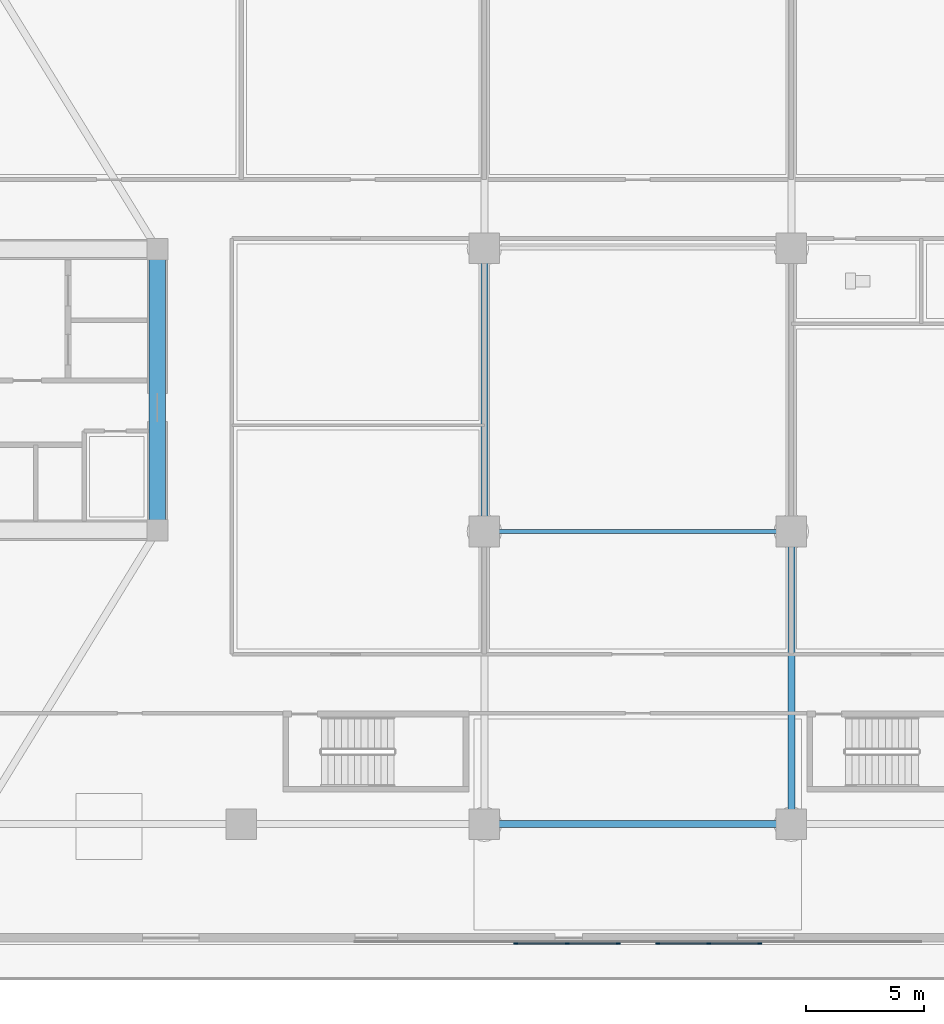
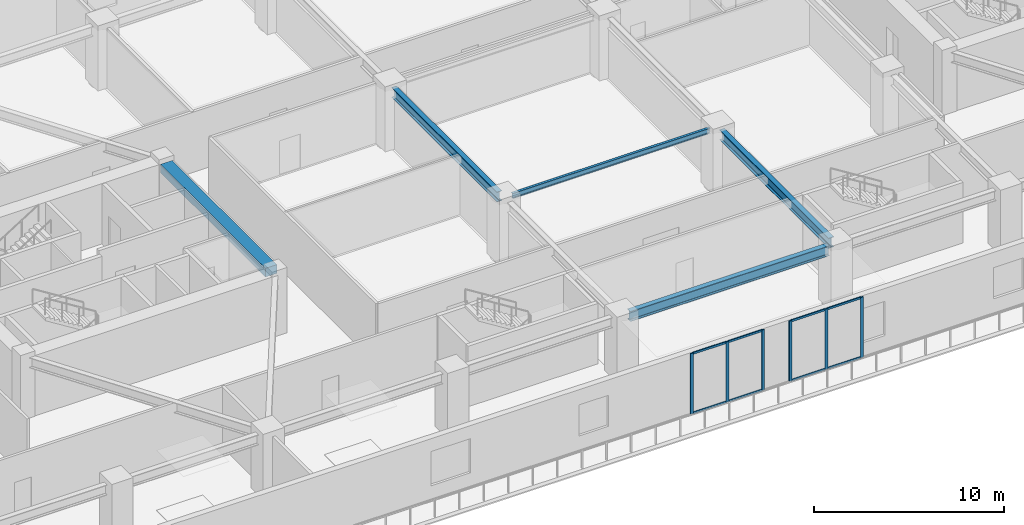
# One storey, part 2 of 22: 14 members, 5 beams, 2 elements without a shape of their own.
"""IFC4 building model written with IfcOpenShell, lengths in metres."""

from ifc_helpers import new_model, si_unit, direction, frame, origin, origin_2d, place, context, subcontext, project, spatial, rectangle, i_section, extrude, source, transform, mapped, material, layer, layer_set, material_profile, profile_set, type_object, type_shapes, element, aggregate, save


model = new_model("IFC4")

# Units and contexts
model_context = context("Model", 3, precision=1e-05, world=origin(), true_north=direction((0.0, 1.0)))
body_context = subcontext(model_context, "Body", "Model", "MODEL_VIEW")
ifc_project = project(units=[si_unit("LENGTHUNIT", "METRE"), si_unit("AREAUNIT", "SQUARE_METRE"), si_unit("VOLUMEUNIT", "CUBIC_METRE"), si_unit("PLANEANGLEUNIT", "RADIAN"), si_unit("MASSUNIT", "GRAM", prefix="KILO")], contexts=[model_context])

# Site, building, storey
site_placement = place(None, origin())
site = spatial("IfcSite", under=ifc_project, at=site_placement, CompositionType="ELEMENT")
building_placement = place(site_placement, origin())
building = spatial("IfcBuilding", under=site, at=building_placement, Name="Norrkilde Senior Care Towers", CompositionType="ELEMENT")
storey_placement = place(building_placement, frame((0.0, 0.0, 4.199951171875)))
storey = spatial("IfcBuildingStorey", under=building, at=storey_placement, Name="L01", CompositionType="ELEMENT", Elevation=4.199951171875)

# Beams
ifc_material_1 = material(Name="Concrete C60/75", Category="concrete")
ifc_material_profile_1 = material_profile(ifc_material_1, rectangle(XDim=0.699951171875, YDim=0.550048828125, at=origin_2d()), Name="RC BM 700x550")
ifc_profile_set_1 = profile_set([ifc_material_profile_1], Name="Concrete C60/75")
beam_type_1 = type_object("IfcBeamType", Name="Core Portal Coupling Beam 700x550", PredefinedType="USERDEFINED", material=ifc_profile_set_1)
shared_shape_1 = source(origin(), body_context, "Body", "SweptSolid", [
    extrude(rectangle(XDim=0.699951171875, YDim=0.550048828125, at=origin_2d()), origin(), (0.0, 0.0, 1.0), 11.0400390625),
])
type_shapes(beam_type_1, [shared_shape_1])
beam_1_placement = place(storey_placement, frame((-20.35009765625, -5.52001953125, 3.60498046875), z_axis=(0.0, 1.0, 0.0), x_axis=(-1.0, 0.0, 0.0)))
element("IfcBeam", 1, at=beam_1_placement, inside=storey, type_object=beam_type_1, Name="L01 Core W E Coupling Girder", ObjectType="GIRDER", PredefinedType="USERDEFINED", context=body_context, shape_type="MappedRepresentation", body=[
    mapped(shared_shape_1, transform((0.0, 0.0, 0.0), x_axis=(1.0, 0.0, 0.0), y_axis=(0.0, 1.0, 0.0), z_axis=(0.0, 0.0, 1.0), scale=1.0)),
])
ifc_material_2 = material(Name="Steel S355", Category="steel")
ifc_material_profile_2 = material_profile(ifc_material_2, i_section(OverallWidth=0.159912109375, OverallDepth=0.330078125, WebThickness=0.007568359375, FlangeThickness=0.011474609375, FilletRadius=0.01806640625, at=origin_2d()), Name="IPE 330")
ifc_profile_set_2 = profile_set([ifc_material_profile_2], Name="Steel S355")
beam_type_2 = type_object("IfcBeamType", Name="Podium Deck Joist IPE330", PredefinedType="JOIST", material=ifc_profile_set_2)
shared_shape_2 = source(origin(), body_context, "Body", "SweptSolid", [
    extrude(i_section(OverallWidth=0.159912109375, OverallDepth=0.330078125, WebThickness=0.007568359375, FlangeThickness=0.011474609375, FilletRadius=0.01806640625, at=origin_2d()), origin(), (0.0, 0.0, 1.0), 12.0),
])
type_shapes(beam_type_2, [shared_shape_2])
beam_2_placement = place(storey_placement, frame((-6.0, -6.0, 3.715087890625), z_axis=(1.0, 0.0, 0.0), x_axis=(0.0, 1.0, 0.0)))
element("IfcBeam", 2, at=beam_2_placement, inside=storey, type_object=beam_type_2, Name="L01 Podium Central Span Beam 1", PredefinedType="JOIST", context=body_context, shape_type="MappedRepresentation", body=[
    mapped(shared_shape_2, transform((0.0, 0.0, 0.0), x_axis=(1.0, 0.0, 0.0), y_axis=(0.0, 1.0, 0.0), z_axis=(0.0, 0.0, 1.0), scale=1.0)),
])
ifc_material_profile_3 = material_profile(ifc_material_2, i_section(OverallWidth=0.300048828125, OverallDepth=0.64990234375, WebThickness=0.01611328125, FlangeThickness=0.031005859375, FilletRadius=0.027099609375, at=origin_2d()), Name="HEB 650")
ifc_profile_set_3 = profile_set([ifc_material_profile_3], Name="Steel S355")
beam_type_3 = type_object("IfcBeamType", Name="Podium Primary Beam HEB650", PredefinedType="BEAM", material=ifc_profile_set_3)
shared_shape_3 = source(origin(), body_context, "Body", "SweptSolid", [
    extrude(i_section(OverallWidth=0.300048828125, OverallDepth=0.64990234375, WebThickness=0.01611328125, FlangeThickness=0.031005859375, FilletRadius=0.027099609375, at=origin_2d()), origin(), (0.0, 0.0, 1.0), 12.10009765625),
])
beam_3_placement = place(storey_placement, frame((-6.050048828125, -18.39990234375, 3.554931640625), z_axis=(1.0, 0.0, 0.0), x_axis=(0.0, 1.0, 0.0)))
element("IfcBeam", 3, at=beam_3_placement, inside=storey, type_object=beam_type_3, Name="L01 Podium E-W Frame Beam 1.5", PredefinedType="BEAM", context=body_context, shape_type="MappedRepresentation", body=[
    mapped(shared_shape_3, transform((0.0, 0.0, 0.0), x_axis=(1.0, 0.0, 0.0), y_axis=(0.0, 1.0, 0.0), z_axis=(0.0, 0.0, 1.0), scale=1.0)),
])
shared_shape_4 = source(origin(), body_context, "Body", "SweptSolid", [
    extrude(i_section(OverallWidth=0.300048828125, OverallDepth=0.64990234375, WebThickness=0.01611328125, FlangeThickness=0.031005859375, FilletRadius=0.027099609375, at=origin_2d()), origin(), (0.0, 0.0, 1.0), 11.5),
])
beam_4_placement = place(storey_placement, frame((6.5, -17.949951171875, 3.554931640625), z_axis=(0.0, 1.0, 0.0), x_axis=(-1.0, 0.0, 0.0)))
element("IfcBeam", 4, at=beam_4_placement, inside=storey, type_object=beam_type_3, Name="L01 Podium N-S Frame Beam 3.1", PredefinedType="BEAM", context=body_context, shape_type="MappedRepresentation", body=[
    mapped(shared_shape_4, transform((0.0, 0.0, 0.0), x_axis=(1.0, 0.0, 0.0), y_axis=(0.0, 1.0, 0.0), z_axis=(0.0, 0.0, 1.0), scale=1.0)),
])
shared_shape_5 = source(origin(), body_context, "Body", "SweptSolid", [
    extrude(i_section(OverallWidth=0.300048828125, OverallDepth=0.64990234375, WebThickness=0.01611328125, FlangeThickness=0.031005859375, FilletRadius=0.027099609375, at=origin_2d()), origin(), (0.0, 0.0, 1.0), 11.10009765625),
])
type_shapes(beam_type_3, [shared_shape_3, shared_shape_4, shared_shape_5])
beam_5_placement = place(storey_placement, frame((-6.5, -5.550048828125, 3.554931640625), z_axis=(0.0, 1.0, 0.0), x_axis=(-1.0, 0.0, 0.0)))
element("IfcBeam", 5, at=beam_5_placement, inside=storey, type_object=beam_type_3, Name="L01 Podium N-S Frame Beam 2.2", PredefinedType="BEAM", context=body_context, shape_type="MappedRepresentation", body=[
    mapped(shared_shape_5, transform((0.0, 0.0, 0.0), x_axis=(1.0, 0.0, 0.0), y_axis=(0.0, 1.0, 0.0), z_axis=(0.0, 0.0, 1.0), scale=1.0)),
])

# Curtain wall, members
ifc_material_3 = material(Name="Triple Low-E Insulated Glazing", Category="glass")
ifc_layer = layer(ifc_material_3, 0.219970703125)
ifc_layer_set = layer_set([ifc_layer], Name="Triple Low-E Insulated Glazing")
curtain_wall_type = type_object("IfcCurtainWallType", Name="CW1 Podium Clinic Terracotta Curtain Wall", PredefinedType="NOTDEFINED", material=ifc_layer_set)
curtain_wall_1_placement = place(storey_placement, origin())
curtain_wall_1 = element("IfcCurtainWall", 6, at=curtain_wall_1_placement, inside=storey, type_object=curtain_wall_type, Name="L01 Podium Portal Feature Curtain Wall 1", PredefinedType="NOTDEFINED")
ifc_material_4 = material(Name="Anodised Aluminium", Category="aluminium")
ifc_material_profile_4 = material_profile(ifc_material_4, rectangle(XDim=0.070068359375, YDim=0.169921875, at=origin_2d()), Name="ALU MULL 70x170")
ifc_profile_set_4 = profile_set([ifc_material_profile_4], Name="Anodised Aluminium")
member_type_1 = type_object("IfcMemberType", Name="Curtain Wall Mullion Heavy 70x170", PredefinedType="MULLION", material=ifc_profile_set_4)
shared_shape_6 = source(origin(), body_context, "Body", "SweptSolid", [
    extrude(rectangle(XDim=0.070068359375, YDim=0.169921875, at=origin_2d()), origin(), (0.0, 0.0, 1.0), 3.880126953125),
])
type_shapes(member_type_1, [shared_shape_6])
member_1_placement = place(storey_placement, frame((-0.8349609375, -23.4599609375, 0.0), z_axis=(0.0, 0.0, 1.0), x_axis=(0.0, -1.0, 0.0)))
member_1 = element("IfcMember", 7, at=member_1_placement, type_object=member_type_1, Name="CW-1 mullion 1", PredefinedType="MULLION", context=body_context, shape_type="MappedRepresentation", body=[
    mapped(shared_shape_6, transform((0.0, 0.0, 0.0), x_axis=(1.0, 0.0, 0.0), y_axis=(0.0, 1.0, 0.0), z_axis=(0.0, 0.0, 1.0), scale=1.0)),
])
member_2_placement = place(storey_placement, frame((-3.0, -23.4599609375, 0.0), z_axis=(0.0, 0.0, 1.0), x_axis=(0.0, -1.0, 0.0)))
member_2 = element("IfcMember", 8, at=member_2_placement, type_object=member_type_1, Name="CW-1 mullion 2", PredefinedType="MULLION", context=body_context, shape_type="MappedRepresentation", body=[
    mapped(shared_shape_6, transform((0.0, 0.0, 0.0), x_axis=(1.0, 0.0, 0.0), y_axis=(0.0, 1.0, 0.0), z_axis=(0.0, 0.0, 1.0), scale=1.0)),
])
member_3_placement = place(storey_placement, frame((-5.1650390625, -23.4599609375, 0.0), z_axis=(0.0, 0.0, 1.0), x_axis=(0.0, -1.0, 0.0)))
member_3 = element("IfcMember", 9, at=member_3_placement, type_object=member_type_1, Name="CW-1 mullion 3", PredefinedType="MULLION", context=body_context, shape_type="MappedRepresentation", body=[
    mapped(shared_shape_6, transform((0.0, 0.0, 0.0), x_axis=(1.0, 0.0, 0.0), y_axis=(0.0, 1.0, 0.0), z_axis=(0.0, 0.0, 1.0), scale=1.0)),
])

curtain_wall_2_placement = place(storey_placement, origin())
curtain_wall_2 = element("IfcCurtainWall", 10, at=curtain_wall_2_placement, inside=storey, type_object=curtain_wall_type, Name="L01 Podium Portal Feature Curtain Wall 2", PredefinedType="NOTDEFINED")
member_4_placement = place(storey_placement, frame((5.1650390625, -23.4599609375, 0.0), z_axis=(0.0, 0.0, 1.0), x_axis=(0.0, -1.0, 0.0)))
member_4 = element("IfcMember", 11, at=member_4_placement, type_object=member_type_1, Name="CW-1 mullion 1", PredefinedType="MULLION", context=body_context, shape_type="MappedRepresentation", body=[
    mapped(shared_shape_6, transform((0.0, 0.0, 0.0), x_axis=(1.0, 0.0, 0.0), y_axis=(0.0, 1.0, 0.0), z_axis=(0.0, 0.0, 1.0), scale=1.0)),
])
member_5_placement = place(storey_placement, frame((3.0, -23.4599609375, 0.0), z_axis=(0.0, 0.0, 1.0), x_axis=(0.0, -1.0, 0.0)))
member_5 = element("IfcMember", 12, at=member_5_placement, type_object=member_type_1, Name="CW-1 mullion 2", PredefinedType="MULLION", context=body_context, shape_type="MappedRepresentation", body=[
    mapped(shared_shape_6, transform((0.0, 0.0, 0.0), x_axis=(1.0, 0.0, 0.0), y_axis=(0.0, 1.0, 0.0), z_axis=(0.0, 0.0, 1.0), scale=1.0)),
])
member_6_placement = place(storey_placement, frame((0.8349609375, -23.4599609375, 0.0), z_axis=(0.0, 0.0, 1.0), x_axis=(0.0, -1.0, 0.0)))
member_6 = element("IfcMember", 13, at=member_6_placement, type_object=member_type_1, Name="CW-1 mullion 3", PredefinedType="MULLION", context=body_context, shape_type="MappedRepresentation", body=[
    mapped(shared_shape_6, transform((0.0, 0.0, 0.0), x_axis=(1.0, 0.0, 0.0), y_axis=(0.0, 1.0, 0.0), z_axis=(0.0, 0.0, 1.0), scale=1.0)),
])

# Member
ifc_material_profile_5 = material_profile(ifc_material_4, rectangle(XDim=0.06494140625, YDim=0.1298828125, at=origin_2d()), Name="ALU TRAN 65x130")
ifc_profile_set_5 = profile_set([ifc_material_profile_5], Name="Anodised Aluminium")
member_type_2 = type_object("IfcMemberType", Name="Curtain Wall Transom Heavy 65x130", PredefinedType="USERDEFINED", material=ifc_profile_set_5)
shared_shape_7 = source(origin(), body_context, "Body", "SweptSolid", [
    extrude(rectangle(XDim=0.06494140625, YDim=0.1298828125, at=origin_2d()), origin(), (0.0, 0.0, 1.0), 2.094970703125),
])
type_shapes(member_type_2, [shared_shape_7])
member_7_placement = place(storey_placement, frame((-0.8701171875, -23.4599609375, 0.032470703125), z_axis=(-1.0, 0.0, 0.0), x_axis=(0.0, -1.0, 0.0)))
member_7 = element("IfcMember", 14, at=member_7_placement, type_object=member_type_2, Name="CW-1 transom 1.1", ObjectType="TRANSOM", PredefinedType="USERDEFINED", context=body_context, shape_type="MappedRepresentation", body=[
    mapped(shared_shape_7, transform((0.0, 0.0, 0.0), x_axis=(1.0, 0.0, 0.0), y_axis=(0.0, 1.0, 0.0), z_axis=(0.0, 0.0, 1.0), scale=1.0)),
])

member_8_placement = place(storey_placement, frame((-0.8701171875, -23.4599609375, 3.84765625), z_axis=(-1.0, 0.0, 0.0), x_axis=(0.0, -1.0, 0.0)))
member_8 = element("IfcMember", 15, at=member_8_placement, type_object=member_type_2, Name="CW-1 transom 1.2", ObjectType="TRANSOM", PredefinedType="USERDEFINED", context=body_context, shape_type="MappedRepresentation", body=[
    mapped(shared_shape_7, transform((0.0, 0.0, 0.0), x_axis=(1.0, 0.0, 0.0), y_axis=(0.0, 1.0, 0.0), z_axis=(0.0, 0.0, 1.0), scale=1.0)),
])

member_9_placement = place(storey_placement, frame((-3.034912109375, -23.4599609375, 0.032470703125), z_axis=(-1.0, 0.0, 0.0), x_axis=(0.0, -1.0, 0.0)))
member_9 = element("IfcMember", 16, at=member_9_placement, type_object=member_type_2, Name="CW-1 transom 2.1", ObjectType="TRANSOM", PredefinedType="USERDEFINED", context=body_context, shape_type="MappedRepresentation", body=[
    mapped(shared_shape_7, transform((0.0, 0.0, 0.0), x_axis=(1.0, 0.0, 0.0), y_axis=(0.0, 1.0, 0.0), z_axis=(0.0, 0.0, 1.0), scale=1.0)),
])

member_10_placement = place(storey_placement, frame((-3.034912109375, -23.4599609375, 3.84765625), z_axis=(-1.0, 0.0, 0.0), x_axis=(0.0, -1.0, 0.0)))
member_10 = element("IfcMember", 17, at=member_10_placement, type_object=member_type_2, Name="CW-1 transom 2.2", ObjectType="TRANSOM", PredefinedType="USERDEFINED", context=body_context, shape_type="MappedRepresentation", body=[
    mapped(shared_shape_7, transform((0.0, 0.0, 0.0), x_axis=(1.0, 0.0, 0.0), y_axis=(0.0, 1.0, 0.0), z_axis=(0.0, 0.0, 1.0), scale=1.0)),
])

aggregate(curtain_wall_1, [member_1, member_2, member_3, member_7, member_8, member_9, member_10])

member_11_placement = place(storey_placement, frame((5.1298828125, -23.4599609375, 0.032470703125), z_axis=(-1.0, 0.0, 0.0), x_axis=(0.0, -1.0, 0.0)))
member_11 = element("IfcMember", 18, at=member_11_placement, type_object=member_type_2, Name="CW-1 transom 1.1", ObjectType="TRANSOM", PredefinedType="USERDEFINED", context=body_context, shape_type="MappedRepresentation", body=[
    mapped(shared_shape_7, transform((0.0, 0.0, 0.0), x_axis=(1.0, 0.0, 0.0), y_axis=(0.0, 1.0, 0.0), z_axis=(0.0, 0.0, 1.0), scale=1.0)),
])

member_12_placement = place(storey_placement, frame((5.1298828125, -23.4599609375, 3.84765625), z_axis=(-1.0, 0.0, 0.0), x_axis=(0.0, -1.0, 0.0)))
member_12 = element("IfcMember", 19, at=member_12_placement, type_object=member_type_2, Name="CW-1 transom 1.2", ObjectType="TRANSOM", PredefinedType="USERDEFINED", context=body_context, shape_type="MappedRepresentation", body=[
    mapped(shared_shape_7, transform((0.0, 0.0, 0.0), x_axis=(1.0, 0.0, 0.0), y_axis=(0.0, 1.0, 0.0), z_axis=(0.0, 0.0, 1.0), scale=1.0)),
])

member_13_placement = place(storey_placement, frame((2.965087890625, -23.4599609375, 0.032470703125), z_axis=(-1.0, 0.0, 0.0), x_axis=(0.0, -1.0, 0.0)))
member_13 = element("IfcMember", 20, at=member_13_placement, type_object=member_type_2, Name="CW-1 transom 2.1", ObjectType="TRANSOM", PredefinedType="USERDEFINED", context=body_context, shape_type="MappedRepresentation", body=[
    mapped(shared_shape_7, transform((0.0, 0.0, 0.0), x_axis=(1.0, 0.0, 0.0), y_axis=(0.0, 1.0, 0.0), z_axis=(0.0, 0.0, 1.0), scale=1.0)),
])

member_14_placement = place(storey_placement, frame((2.965087890625, -23.4599609375, 3.84765625), z_axis=(-1.0, 0.0, 0.0), x_axis=(0.0, -1.0, 0.0)))
member_14 = element("IfcMember", 21, at=member_14_placement, type_object=member_type_2, Name="CW-1 transom 2.2", ObjectType="TRANSOM", PredefinedType="USERDEFINED", context=body_context, shape_type="MappedRepresentation", body=[
    mapped(shared_shape_7, transform((0.0, 0.0, 0.0), x_axis=(1.0, 0.0, 0.0), y_axis=(0.0, 1.0, 0.0), z_axis=(0.0, 0.0, 1.0), scale=1.0)),
])

aggregate(curtain_wall_2, [member_4, member_5, member_6, member_11, member_12, member_13, member_14])

save(model, "model.ifc")
